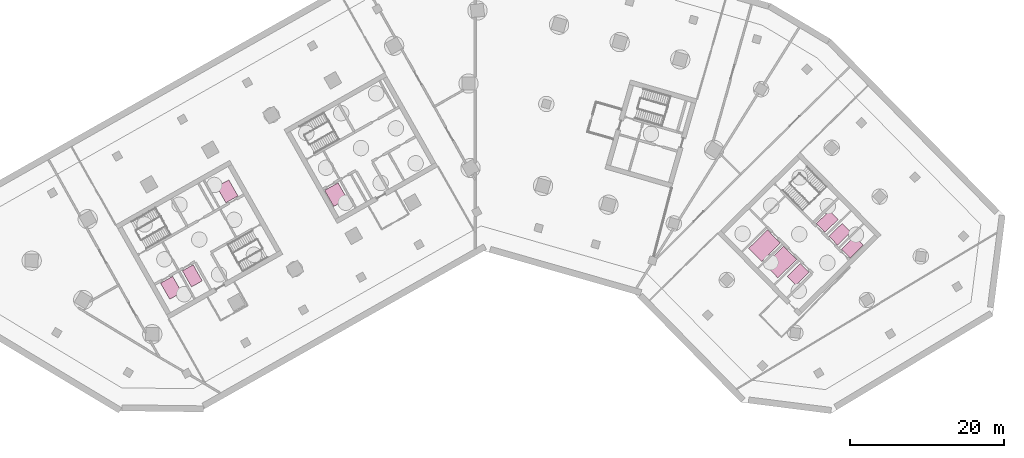
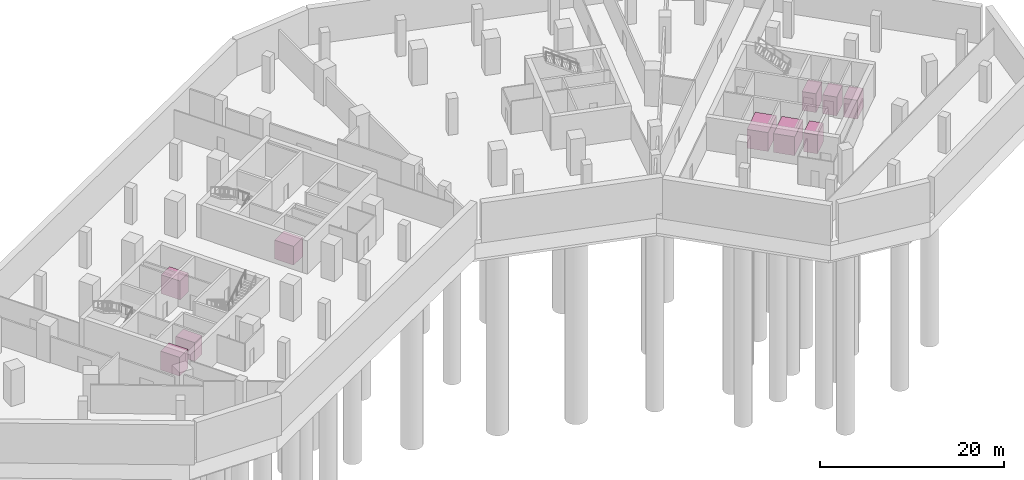
# One storey, part 11 of 11: 10 transport elements.
"""IFC4 building model written with IfcOpenShell, lengths in metres."""

from ifc_helpers import new_model, si_unit, direction, frame, origin, origin_2d, place, context, subcontext, project, spatial, rectangle, extrude, material, type_object, element, save


model = new_model("IFC4")

# Units and contexts
model_context = context("Model", 3, precision=1e-05, world=origin(), true_north=direction((0.0, 1.0)))
body_context = subcontext(model_context, "Body", "Model", "MODEL_VIEW")
ifc_project = project(units=[si_unit("LENGTHUNIT", "METRE"), si_unit("AREAUNIT", "SQUARE_METRE"), si_unit("VOLUMEUNIT", "CUBIC_METRE"), si_unit("PLANEANGLEUNIT", "RADIAN"), si_unit("MASSUNIT", "GRAM", prefix="KILO")], contexts=[model_context])

# Site, building, storey
site_placement = place(None, origin())
site = spatial("IfcSite", under=ifc_project, at=site_placement, CompositionType="ELEMENT")
building_placement = place(site_placement, origin())
building = spatial("IfcBuilding", under=site, at=building_placement, Name="Binnacle Exchange Tower", CompositionType="ELEMENT")
storey_placement = place(building_placement, frame((0.0, 0.0, -9.60009765625)))
storey = spatial("IfcBuildingStorey", under=building, at=storey_placement, Name="B2", CompositionType="ELEMENT", Elevation=-9.60009765625)

# Transport elements
ifc_material = material(Name="Stainless steel lift car", Category="steel")
transport_element_type_1 = type_object("IfcTransportElementType", Name="LIFT CAR 1600x2400", PredefinedType="ELEVATOR", material=ifc_material)
for number, where, z_axis, x_axis, name in (
    (1, (45.669189453125, 42.11474609375, 0.0), (0.0, 0.0, 1.0), (0.70090935439, -0.713250360623, 0.0), "Lift LP1 (passenger low-rise)"),
    (2, (47.302490234375, 40.452880859375, 0.0), (0.0, 0.0, 1.0), (0.70090935439, -0.713250360623, 0.0), "Lift LP2 (passenger low-rise)"),
    (3, (48.93896484375, 38.787353515625, 0.0), (0.0, 0.0, 1.0), (0.70090935439, -0.713250360623, 0.0), "Lift LP3 (passenger low-rise)"),
    (4, (41.886474609375, 35.263916015625, 0.0), (0.0, 0.0, 1.0), (0.70090935439, -0.713250360623, 0.0), "Lift LP4 (passenger low-rise)"),
    (5, (-36.664306640625, 35.0625, 0.0), (0.0, 0.0, 1.0), (0.870355581136, 0.492423763019, 0.0), "Lift MP4 (passenger mid-rise)"),
):
    element("IfcTransportElement", number, at=place(storey_placement, frame(where, z_axis=z_axis, x_axis=x_axis)), inside=storey, type_object=transport_element_type_1, Name=name, PredefinedType="ELEVATOR", context=body_context, shape_type="SweptSolid", body=[
        extrude(rectangle(XDim=1.60009765625, YDim=2.39990234375, at=origin_2d()), origin(), (0.0, 0.0, 1.0), 2.5),
    ])
transport_element_type_2 = type_object("IfcTransportElementType", Name="LIFT CAR 1800x2400", PredefinedType="ELEVATOR", material=ifc_material)
for number, where, z_axis, x_axis, name in (
    (6, (-39.406005859375, 33.511474609375, 0.0), (0.0, 0.0, 1.0), (0.870355581136, 0.492423763019, 0.0), "Lift FL1 (emergency)"),
    (7, (-32.12109375, 46.0205078125, 0.0), (0.0, 0.0, 1.0), (0.870355581136, 0.492423763019, 0.0), "Lift FL2 (emergency)"),
):
    element("IfcTransportElement", number, at=place(storey_placement, frame(where, z_axis=z_axis, x_axis=x_axis)), inside=storey, type_object=transport_element_type_2, Name=name, PredefinedType="ELEVATOR", context=body_context, shape_type="SweptSolid", body=[
        extrude(rectangle(XDim=1.800048828125, YDim=2.39990234375, at=origin_2d()), origin(), (0.0, 0.0, 1.0), 2.5),
    ])
transport_element_type_3 = type_object("IfcTransportElementType", Name="LIFT CAR 2000x2400", PredefinedType="ELEVATOR", material=ifc_material)
transport_element_placement = place(storey_placement, frame((-18.046630859375, 45.595947265625, 0.0), z_axis=(0.0, 0.0, 1.0), x_axis=(0.870355581136, 0.492423763019, 0.0)))
element("IfcTransportElement", 8, at=transport_element_placement, inside=storey, type_object=transport_element_type_3, Name="Lift EV1 (evacuation)", PredefinedType="ELEVATOR", context=body_context, shape_type="SweptSolid", body=[
    extrude(rectangle(XDim=2.0, YDim=2.39990234375, at=origin_2d()), origin(), (0.0, 0.0, 1.0), 2.5),
])
transport_element_type_4 = type_object("IfcTransportElementType", Name="LIFT CAR 2400x3400", PredefinedType="ELEVATOR", material=ifc_material)
for number, where, z_axis, x_axis, name in (
    (9, (37.53466796875, 38.97900390625, 0.0), (0.0, 0.0, 1.0), (0.70090935439, -0.713250360623, 0.0), "Lift FR1 (freight and service)"),
    (10, (39.637451171875, 36.839111328125, 0.0), (0.0, 0.0, 1.0), (0.70090935439, -0.713250360623, 0.0), "Lift FR2 (freight and service)"),
):
    element("IfcTransportElement", number, at=place(storey_placement, frame(where, z_axis=z_axis, x_axis=x_axis)), inside=storey, type_object=transport_element_type_4, Name=name, PredefinedType="ELEVATOR", context=body_context, shape_type="SweptSolid", body=[
        extrude(rectangle(XDim=2.39990234375, YDim=3.39990234375, at=origin_2d()), origin(), (0.0, 0.0, 1.0), 2.5),
    ])

save(model, "model.ifc")
